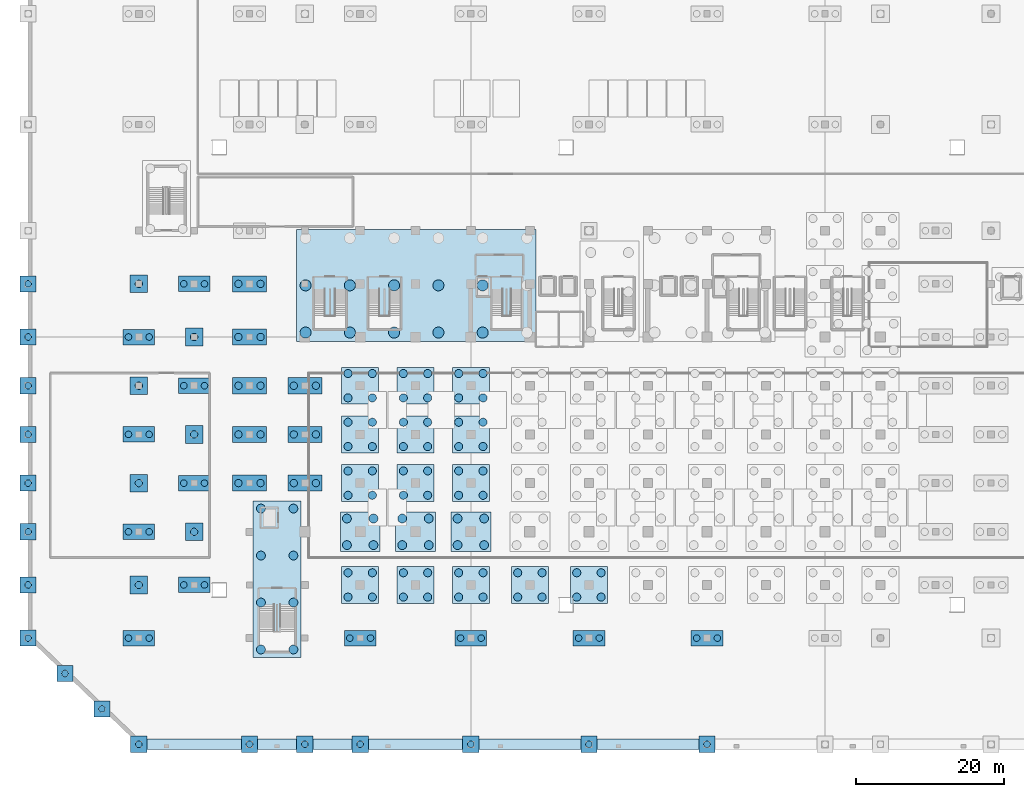
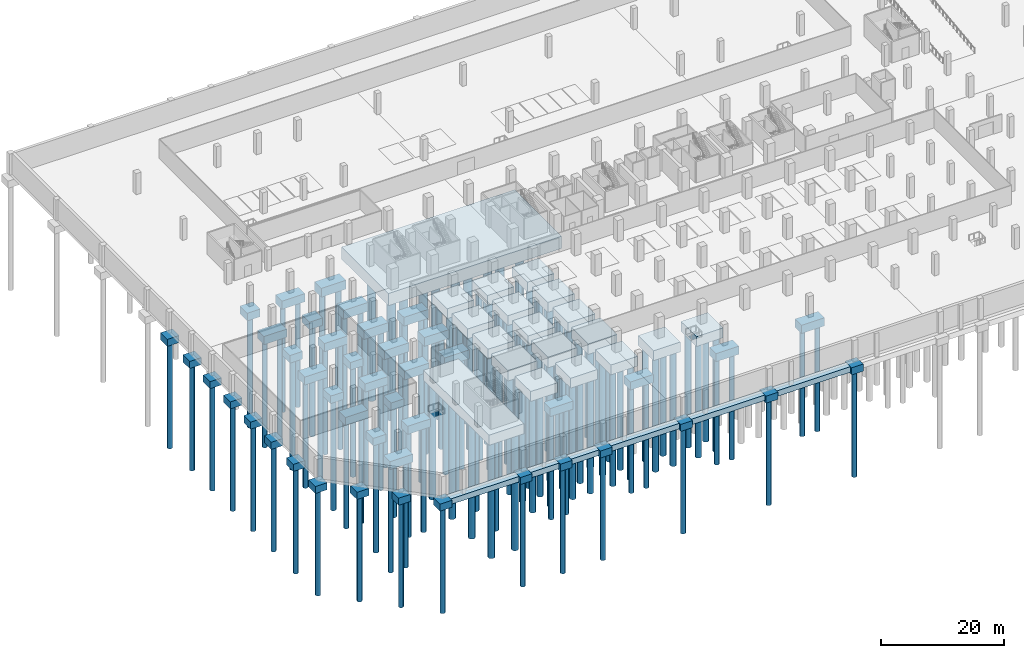
# One storey, part 1 of 26: 150 piles, 69 footings.
"""IFC4 building model written with IfcOpenShell, lengths in metres."""

from ifc_helpers import new_model, si_unit, direction, frame, origin, origin_2d, place, context, subcontext, project, spatial, rectangle, circle, extrude, material, material_profile, profile_set, type_object, element, save


model = new_model("IFC4")

# Units and contexts
model_context = context("Model", 3, precision=1e-05, world=origin(), true_north=direction((0.0, 1.0)))
body_context = subcontext(model_context, "Body", "Model", "MODEL_VIEW")
ifc_project = project(units=[si_unit("LENGTHUNIT", "METRE"), si_unit("AREAUNIT", "SQUARE_METRE"), si_unit("VOLUMEUNIT", "CUBIC_METRE"), si_unit("PLANEANGLEUNIT", "RADIAN"), si_unit("MASSUNIT", "GRAM", prefix="KILO")], contexts=[model_context])

# Site, building, storey
site_placement = place(None, origin())
site = spatial("IfcSite", under=ifc_project, at=site_placement, CompositionType="ELEMENT")
building_placement = place(site_placement, origin())
building = spatial("IfcBuilding", under=site, at=building_placement, Name="Akrevak Sports Hall", CompositionType="ELEMENT")
storey_placement = place(building_placement, frame((0.0, 0.0, -9.0)))
storey = spatial("IfcBuildingStorey", under=building, at=storey_placement, Name="B02", CompositionType="ELEMENT", Elevation=-9.0)

# Footings
ifc_material = material(Name="Concrete C40/50", Category="concrete")
footing_type_1 = type_object("IfcFootingType", Name="STR-PC-220x220x140", PredefinedType="PILE_CAP", material=ifc_material)
for number, where, z_axis, x_axis, name in (
    (1, (0.0, 14.39990234375, -1.949951171875), (0.0, 0.0, 1.0), (1.0, 0.0, 0.0), "Pile Cap PC-06 at 1/C"),
    (2, (0.0, 21.60009765625, -1.949951171875), (0.0, 0.0, 1.0), (1.0, 0.0, 0.0), "Pile Cap PC-06 at 1/D"),
    (3, (0.0, 28.800048828125, -1.949951171875), (0.0, 0.0, 1.0), (1.0, 0.0, 0.0), "Pile Cap PC-06 at 1/E"),
    (4, (0.0, 35.39990234375, -1.949951171875), (0.0, 0.0, 1.0), (1.0, 0.0, 0.0), "Pile Cap PC-06 at 1/F"),
    (5, (0.0, 42.0, -1.949951171875), (0.0, 0.0, 1.0), (1.0, 0.0, 0.0), "Pile Cap PC-06 at 1/G"),
    (6, (0.0, 48.60009765625, -1.949951171875), (0.0, 0.0, 1.0), (1.0, 0.0, 0.0), "Pile Cap PC-06 at 1/H"),
    (7, (0.0, 55.199951171875, -1.949951171875), (0.0, 0.0, 1.0), (1.0, 0.0, 0.0), "Pile Cap PC-06 at 1/I"),
    (8, (0.0, 62.39990234375, -1.949951171875), (0.0, 0.0, 1.0), (1.0, 0.0, 0.0), "Pile Cap PC-06 at 1/J"),
    (9, (15.0, 0.0, -1.949951171875), (0.0, 0.0, 1.0), (1.0, 0.0, 0.0), "Pile Cap PC-06 at 3/A"),
    (10, (30.0, 0.0, -1.949951171875), (0.0, 0.0, 1.0), (1.0, 0.0, 0.0), "Pile Cap PC-06 at 5/A"),
    (11, (37.5, 0.0, -1.949951171875), (0.0, 0.0, 1.0), (1.0, 0.0, 0.0), "Pile Cap PC-06 at 6/A"),
    (12, (45.0, 0.0, -1.949951171875), (0.0, 0.0, 1.0), (1.0, 0.0, 0.0), "Pile Cap PC-06 at 7/A"),
    (13, (60.0, 0.0, -1.949951171875), (0.0, 0.0, 1.0), (1.0, 0.0, 0.0), "Pile Cap PC-06 at 9/A"),
    (14, (76.0, 0.0, -1.949951171875), (0.0, 0.0, 1.0), (1.0, 0.0, 0.0), "Pile Cap PC-06 at 11/A"),
    (15, (92.0, 0.0, -1.949951171875), (0.0, 0.0, 1.0), (1.0, 0.0, 0.0), "Pile Cap PC-06 at 13/A"),
    (16, (10.0, 4.800048828125, -1.949951171875), (0.0, 0.0, 1.0), (1.0, 0.0, 0.0), "Pile Cap PC-06 at Chamfer Pier 1"),
    (17, (5.0, 9.60009765625, -1.949951171875), (0.0, 0.0, 1.0), (1.0, 0.0, 0.0), "Pile Cap PC-06 at Chamfer Pier 2"),
):
    element("IfcFooting", number, at=place(storey_placement, frame(where, z_axis=z_axis, x_axis=x_axis)), inside=storey, type_object=footing_type_1, Name=name, PredefinedType="PILE_CAP", context=body_context, shape_type="SweptSolid", body=[
        extrude(rectangle(XDim=2.199951171875, YDim=2.199951171875, at=origin_2d()), origin(), (0.0, 0.0, 1.0), 1.39990234375),
    ])
footing_type_2 = type_object("IfcFootingType", Name="STR-PC-240x240x150", PredefinedType="PILE_CAP", material=ifc_material)
for number, where, z_axis, x_axis, name in (
    (18, (15.0, 21.60009765625, -2.050048828125), (0.0, 0.0, 1.0), (1.0, 0.0, 0.0), "Pile Cap PC-05 at 3/D"),
    (19, (15.0, 35.39990234375, -2.050048828125), (0.0, 0.0, 1.0), (1.0, 0.0, 0.0), "Pile Cap PC-05 at 3/F"),
    (20, (15.0, 48.60009765625, -2.050048828125), (0.0, 0.0, 1.0), (1.0, 0.0, 0.0), "Pile Cap PC-05 at 3/H"),
    (21, (15.0, 62.39990234375, -2.050048828125), (0.0, 0.0, 1.0), (1.0, 0.0, 0.0), "Pile Cap PC-05 at 3/J"),
    (22, (22.5, 28.800048828125, -2.050048828125), (0.0, 0.0, 1.0), (1.0, 0.0, 0.0), "Pile Cap PC-05 at 4/E"),
    (23, (22.5, 42.0, -2.050048828125), (0.0, 0.0, 1.0), (1.0, 0.0, 0.0), "Pile Cap PC-05 at 4/G"),
    (24, (22.5, 55.199951171875, -2.050048828125), (0.0, 0.0, 1.0), (1.0, 0.0, 0.0), "Pile Cap PC-05 at 4/I"),
):
    element("IfcFooting", number, at=place(storey_placement, frame(where, z_axis=z_axis, x_axis=x_axis)), inside=storey, type_object=footing_type_2, Name=name, PredefinedType="PILE_CAP", context=body_context, shape_type="SweptSolid", body=[
        extrude(rectangle(XDim=2.39990234375, YDim=2.39990234375, at=origin_2d()), origin(), (0.0, 0.0, 1.0), 1.5),
    ])
footing_type_3 = type_object("IfcFootingType", Name="STR-PC-430x210x160", PredefinedType="PILE_CAP", material=ifc_material)
for number, where, z_axis, x_axis, name in (
    (25, (15.0, 14.39990234375, -2.150146484375), (0.0, 0.0, 1.0), (1.0, 0.0, 0.0), "Pile Cap PC-04 at 3/C"),
    (26, (15.0, 28.800048828125, -2.150146484375), (0.0, 0.0, 1.0), (1.0, 0.0, 0.0), "Pile Cap PC-04 at 3/E"),
    (27, (15.0, 42.0, -2.150146484375), (0.0, 0.0, 1.0), (1.0, 0.0, 0.0), "Pile Cap PC-04 at 3/G"),
    (28, (15.0, 55.199951171875, -2.150146484375), (0.0, 0.0, 1.0), (1.0, 0.0, 0.0), "Pile Cap PC-04 at 3/I"),
    (29, (22.5, 21.60009765625, -2.150146484375), (0.0, 0.0, 1.0), (1.0, 0.0, 0.0), "Pile Cap PC-04 at 4/D"),
    (30, (22.5, 35.39990234375, -2.150146484375), (0.0, 0.0, 1.0), (1.0, 0.0, 0.0), "Pile Cap PC-04 at 4/F"),
    (31, (22.5, 48.60009765625, -2.150146484375), (0.0, 0.0, 1.0), (1.0, 0.0, 0.0), "Pile Cap PC-04 at 4/H"),
    (32, (22.5, 62.39990234375, -2.150146484375), (0.0, 0.0, 1.0), (1.0, 0.0, 0.0), "Pile Cap PC-04 at 4/J"),
    (33, (45.0, 14.39990234375, -2.150146484375), (0.0, 0.0, 1.0), (1.0, 0.0, 0.0), "Pile Cap PC-04 at 7/C"),
    (34, (60.0, 14.39990234375, -2.150146484375), (0.0, 0.0, 1.0), (1.0, 0.0, 0.0), "Pile Cap PC-04 at 9/C"),
    (35, (76.0, 14.39990234375, -2.150146484375), (0.0, 0.0, 1.0), (1.0, 0.0, 0.0), "Pile Cap PC-04 at 11/C"),
    (36, (92.0, 14.39990234375, -2.150146484375), (0.0, 0.0, 1.0), (1.0, 0.0, 0.0), "Pile Cap PC-04 at 13/C"),
):
    element("IfcFooting", number, at=place(storey_placement, frame(where, z_axis=z_axis, x_axis=x_axis)), inside=storey, type_object=footing_type_3, Name=name, PredefinedType="PILE_CAP", context=body_context, shape_type="SweptSolid", body=[
        extrude(rectangle(XDim=4.300048828125, YDim=2.10009765625, at=origin_2d()), origin(), (0.0, 0.0, 1.0), 1.60009765625),
    ])
footing_type_4 = type_object("IfcFootingType", Name="STR-PC-460x220x175", PredefinedType="PILE_CAP", material=ifc_material)
for number, where, z_axis, x_axis, name in (
    (37, (30.0, 35.39990234375, -2.300048828125), (0.0, 0.0, 1.0), (1.0, 0.0, 0.0), "Pile Cap PC-03 at 5/F"),
    (38, (30.0, 42.0, -2.300048828125), (0.0, 0.0, 1.0), (1.0, 0.0, 0.0), "Pile Cap PC-03 at 5/G"),
    (39, (30.0, 48.60009765625, -2.300048828125), (0.0, 0.0, 1.0), (1.0, 0.0, 0.0), "Pile Cap PC-03 at 5/H"),
    (40, (30.0, 55.199951171875, -2.300048828125), (0.0, 0.0, 1.0), (1.0, 0.0, 0.0), "Pile Cap PC-03 at 5/I"),
    (41, (30.0, 62.39990234375, -2.300048828125), (0.0, 0.0, 1.0), (1.0, 0.0, 0.0), "Pile Cap PC-03 at 5/J"),
    (42, (37.5, 35.39990234375, -2.300048828125), (0.0, 0.0, 1.0), (1.0, 0.0, 0.0), "Pile Cap PC-03 at 6/F"),
    (43, (37.5, 42.0, -2.300048828125), (0.0, 0.0, 1.0), (1.0, 0.0, 0.0), "Pile Cap PC-03 at 6/G"),
    (44, (37.5, 48.60009765625, -2.300048828125), (0.0, 0.0, 1.0), (1.0, 0.0, 0.0), "Pile Cap PC-03 at 6/H"),
):
    element("IfcFooting", number, at=place(storey_placement, frame(where, z_axis=z_axis, x_axis=x_axis)), inside=storey, type_object=footing_type_4, Name=name, PredefinedType="PILE_CAP", context=body_context, shape_type="SweptSolid", body=[
        extrude(rectangle(XDim=4.60009765625, YDim=2.199951171875, at=origin_2d()), origin(), (0.0, 0.0, 1.0), 1.75),
    ])
footing_type_5 = type_object("IfcFootingType", Name="STR-PC-500x500x195", PredefinedType="PILE_CAP", material=ifc_material)
for number, where, z_axis, x_axis, name in (
    (45, (45.0, 21.60009765625, -2.5), (0.0, 0.0, 1.0), (1.0, 0.0, 0.0), "Pile Cap PC-02 at 7/D"),
    (46, (45.0, 35.39990234375, -2.5), (0.0, 0.0, 1.0), (1.0, 0.0, 0.0), "Pile Cap PC-02 at 7/F"),
    (47, (45.0, 42.0, -2.5), (0.0, 0.0, 1.0), (1.0, 0.0, 0.0), "Pile Cap PC-02 at 7/G"),
    (48, (45.0, 48.60009765625, -2.5), (0.0, 0.0, 1.0), (1.0, 0.0, 0.0), "Pile Cap PC-02 at 7/H"),
    (49, (52.5, 21.60009765625, -2.5), (0.0, 0.0, 1.0), (1.0, 0.0, 0.0), "Pile Cap PC-02 at 8/D"),
    (50, (52.5, 35.39990234375, -2.5), (0.0, 0.0, 1.0), (1.0, 0.0, 0.0), "Pile Cap PC-02 at 8/F"),
    (51, (52.5, 42.0, -2.5), (0.0, 0.0, 1.0), (1.0, 0.0, 0.0), "Pile Cap PC-02 at 8/G"),
    (52, (52.5, 48.60009765625, -2.5), (0.0, 0.0, 1.0), (1.0, 0.0, 0.0), "Pile Cap PC-02 at 8/H"),
    (53, (60.0, 21.60009765625, -2.5), (0.0, 0.0, 1.0), (1.0, 0.0, 0.0), "Pile Cap PC-02 at 9/D"),
    (54, (60.0, 35.39990234375, -2.5), (0.0, 0.0, 1.0), (1.0, 0.0, 0.0), "Pile Cap PC-02 at 9/F"),
    (55, (60.0, 42.0, -2.5), (0.0, 0.0, 1.0), (1.0, 0.0, 0.0), "Pile Cap PC-02 at 9/G"),
    (56, (60.0, 48.60009765625, -2.5), (0.0, 0.0, 1.0), (1.0, 0.0, 0.0), "Pile Cap PC-02 at 9/H"),
    (57, (68.0, 21.60009765625, -2.5), (0.0, 0.0, 1.0), (1.0, 0.0, 0.0), "Pile Cap PC-02 at 10/D"),
    (58, (76.0, 21.60009765625, -2.5), (0.0, 0.0, 1.0), (1.0, 0.0, 0.0), "Pile Cap PC-02 at 11/D"),
):
    element("IfcFooting", number, at=place(storey_placement, frame(where, z_axis=z_axis, x_axis=x_axis)), inside=storey, type_object=footing_type_5, Name=name, PredefinedType="PILE_CAP", context=body_context, shape_type="SweptSolid", body=[
        extrude(rectangle(XDim=5.0, YDim=5.0, at=origin_2d()), origin(), (0.0, 0.0, 1.0), 1.949951171875),
    ])
footing_type_6 = type_object("IfcFootingType", Name="STR-PC-540x540x210", PredefinedType="PILE_CAP", material=ifc_material)
for number, where, z_axis, x_axis, name in (
    (59, (45.0, 28.800048828125, -2.650146484375), (0.0, 0.0, 1.0), (1.0, 0.0, 0.0), "Pile Cap PC-01 at 7/E"),
    (60, (52.5, 28.800048828125, -2.650146484375), (0.0, 0.0, 1.0), (1.0, 0.0, 0.0), "Pile Cap PC-01 at 8/E"),
    (61, (60.0, 28.800048828125, -2.650146484375), (0.0, 0.0, 1.0), (1.0, 0.0, 0.0), "Pile Cap PC-01 at 9/E"),
):
    element("IfcFooting", number, at=place(storey_placement, frame(where, z_axis=z_axis, x_axis=x_axis)), inside=storey, type_object=footing_type_6, Name=name, PredefinedType="PILE_CAP", context=body_context, shape_type="SweptSolid", body=[
        extrude(rectangle(XDim=5.39990234375, YDim=5.39990234375, at=origin_2d()), origin(), (0.0, 0.0, 1.0), 2.10009765625),
    ])
footing_type_7 = type_object("IfcFootingType", Name="STR-PC-MAT-P1", PredefinedType="PILE_CAP", material=ifc_material)
footing_1_placement = place(storey_placement, frame((33.75, 22.39990234375, -2.550048828125), z_axis=(0.0, 0.0, 1.0), x_axis=(1.0, 0.0, 0.0)))
element("IfcFooting", 62, at=footing_1_placement, inside=storey, type_object=footing_type_7, Name="Combined Pile Cap PC-M5", PredefinedType="PILE_CAP", context=body_context, shape_type="SweptSolid", body=[
    extrude(rectangle(XDim=6.5, YDim=21.199951171875, at=origin_2d()), origin(), (0.0, 0.0, 1.0), 2.0),
])
footing_type_8 = type_object("IfcFootingType", Name="STR-PC-MAT-W", PredefinedType="PILE_CAP", material=ifc_material)
footing_2_placement = place(storey_placement, frame((52.60009765625, 62.199951171875, -2.949951171875), z_axis=(0.0, 0.0, 1.0), x_axis=(1.0, 0.0, 0.0)))
element("IfcFooting", 63, at=footing_2_placement, inside=storey, type_object=footing_type_8, Name="Combined Pile Cap PC-M1", PredefinedType="PILE_CAP", context=body_context, shape_type="SweptSolid", body=[
    extrude(rectangle(XDim=32.39990234375, YDim=15.199951171875, at=origin_2d()), origin(), (0.0, 0.0, 1.0), 2.39990234375),
])

# Piles
ifc_material_profile_1 = material_profile(ifc_material, circle(Radius=0.5, at=origin_2d()), Name="BORED PILE D1000", Category="concrete")
ifc_profile_set_1 = profile_set([ifc_material_profile_1], Name="Concrete C40/50")
pile_type_1 = type_object("IfcPileType", Name="STR-PILE-D1000", PredefinedType="BORED", material=ifc_profile_set_1)
for number, where, z_axis, x_axis, name in (
    (64, (15.0, 21.60009765625, -2.050048828125), (0.0, 0.0, -1.0), (1.0, 0.0, 0.0), "Bored Pile 3/D-1"),
    (65, (15.0, 35.39990234375, -2.050048828125), (0.0, 0.0, -1.0), (1.0, 0.0, 0.0), "Bored Pile 3/F-1"),
    (66, (15.0, 48.60009765625, -2.050048828125), (0.0, 0.0, -1.0), (1.0, 0.0, 0.0), "Bored Pile 3/H-1"),
    (67, (15.0, 62.39990234375, -2.050048828125), (0.0, 0.0, -1.0), (1.0, 0.0, 0.0), "Bored Pile 3/J-1"),
    (68, (22.5, 28.800048828125, -2.050048828125), (0.0, 0.0, -1.0), (1.0, 0.0, 0.0), "Bored Pile 4/E-1"),
    (69, (22.5, 42.0, -2.050048828125), (0.0, 0.0, -1.0), (1.0, 0.0, 0.0), "Bored Pile 4/G-1"),
    (70, (22.5, 55.199951171875, -2.050048828125), (0.0, 0.0, -1.0), (1.0, 0.0, 0.0), "Bored Pile 4/I-1"),
    (71, (28.5, 35.39990234375, -2.300048828125), (0.0, 0.0, -1.0), (1.0, 0.0, 0.0), "Bored Pile 5/F-1"),
    (72, (31.5, 35.39990234375, -2.300048828125), (0.0, 0.0, -1.0), (1.0, 0.0, 0.0), "Bored Pile 5/F-2"),
    (73, (28.5, 42.0, -2.300048828125), (0.0, 0.0, -1.0), (1.0, 0.0, 0.0), "Bored Pile 5/G-1"),
    (74, (31.5, 42.0, -2.300048828125), (0.0, 0.0, -1.0), (1.0, 0.0, 0.0), "Bored Pile 5/G-2"),
    (75, (28.5, 48.60009765625, -2.300048828125), (0.0, 0.0, -1.0), (1.0, 0.0, 0.0), "Bored Pile 5/H-1"),
    (76, (31.5, 48.60009765625, -2.300048828125), (0.0, 0.0, -1.0), (1.0, 0.0, 0.0), "Bored Pile 5/H-2"),
    (77, (28.5, 55.199951171875, -2.300048828125), (0.0, 0.0, -1.0), (1.0, 0.0, 0.0), "Bored Pile 5/I-1"),
    (78, (31.5, 55.199951171875, -2.300048828125), (0.0, 0.0, -1.0), (1.0, 0.0, 0.0), "Bored Pile 5/I-2"),
    (79, (28.5, 62.39990234375, -2.300048828125), (0.0, 0.0, -1.0), (1.0, 0.0, 0.0), "Bored Pile 5/J-1"),
    (80, (31.5, 62.39990234375, -2.300048828125), (0.0, 0.0, -1.0), (1.0, 0.0, 0.0), "Bored Pile 5/J-2"),
    (81, (36.0, 35.39990234375, -2.300048828125), (0.0, 0.0, -1.0), (1.0, 0.0, 0.0), "Bored Pile 6/F-1"),
    (82, (39.0, 35.39990234375, -2.300048828125), (0.0, 0.0, -1.0), (1.0, 0.0, 0.0), "Bored Pile 6/F-2"),
    (83, (36.0, 42.0, -2.300048828125), (0.0, 0.0, -1.0), (1.0, 0.0, 0.0), "Bored Pile 6/G-1"),
    (84, (39.0, 42.0, -2.300048828125), (0.0, 0.0, -1.0), (1.0, 0.0, 0.0), "Bored Pile 6/G-2"),
    (85, (36.0, 48.60009765625, -2.300048828125), (0.0, 0.0, -1.0), (1.0, 0.0, 0.0), "Bored Pile 6/H-1"),
    (86, (39.0, 48.60009765625, -2.300048828125), (0.0, 0.0, -1.0), (1.0, 0.0, 0.0), "Bored Pile 6/H-2"),
):
    element("IfcPile", number, at=place(storey_placement, frame(where, z_axis=z_axis, x_axis=x_axis)), inside=storey, type_object=pile_type_1, Name=name, PredefinedType="BORED", context=body_context, shape_type="SweptSolid", body=[
        extrude(circle(Radius=0.5, at=origin_2d()), origin(), (0.0, 0.0, 1.0), 22.0),
    ])
ifc_material_profile_2 = material_profile(ifc_material, circle(Radius=0.550048828125, at=origin_2d()), Name="BORED PILE D1100", Category="concrete")
ifc_profile_set_2 = profile_set([ifc_material_profile_2], Name="Concrete C40/50")
pile_type_2 = type_object("IfcPileType", Name="STR-PILE-D1100", PredefinedType="BORED", material=ifc_profile_set_2)
for number, where, z_axis, x_axis, name in (
    (87, (43.35009765625, 19.949951171875, -2.5), (0.0, 0.0, -1.0), (1.0, 0.0, 0.0), "Bored Pile 7/D-1"),
    (88, (46.64990234375, 19.949951171875, -2.5), (0.0, 0.0, -1.0), (1.0, 0.0, 0.0), "Bored Pile 7/D-2"),
    (89, (43.35009765625, 23.25, -2.5), (0.0, 0.0, -1.0), (1.0, 0.0, 0.0), "Bored Pile 7/D-3"),
    (90, (46.64990234375, 23.25, -2.5), (0.0, 0.0, -1.0), (1.0, 0.0, 0.0), "Bored Pile 7/D-4"),
    (91, (43.35009765625, 33.75, -2.5), (0.0, 0.0, -1.0), (1.0, 0.0, 0.0), "Bored Pile 7/F-1"),
    (92, (46.64990234375, 33.75, -2.5), (0.0, 0.0, -1.0), (1.0, 0.0, 0.0), "Bored Pile 7/F-2"),
    (93, (43.35009765625, 37.050048828125, -2.5), (0.0, 0.0, -1.0), (1.0, 0.0, 0.0), "Bored Pile 7/F-3"),
    (94, (46.64990234375, 37.050048828125, -2.5), (0.0, 0.0, -1.0), (1.0, 0.0, 0.0), "Bored Pile 7/F-4"),
    (95, (43.35009765625, 40.35009765625, -2.5), (0.0, 0.0, -1.0), (1.0, 0.0, 0.0), "Bored Pile 7/G-1"),
    (96, (46.64990234375, 40.35009765625, -2.5), (0.0, 0.0, -1.0), (1.0, 0.0, 0.0), "Bored Pile 7/G-2"),
    (97, (43.35009765625, 43.64990234375, -2.5), (0.0, 0.0, -1.0), (1.0, 0.0, 0.0), "Bored Pile 7/G-3"),
    (98, (46.64990234375, 43.64990234375, -2.5), (0.0, 0.0, -1.0), (1.0, 0.0, 0.0), "Bored Pile 7/G-4"),
    (99, (43.35009765625, 46.949951171875, -2.5), (0.0, 0.0, -1.0), (1.0, 0.0, 0.0), "Bored Pile 7/H-1"),
    (100, (46.64990234375, 46.949951171875, -2.5), (0.0, 0.0, -1.0), (1.0, 0.0, 0.0), "Bored Pile 7/H-2"),
    (101, (43.35009765625, 50.25, -2.5), (0.0, 0.0, -1.0), (1.0, 0.0, 0.0), "Bored Pile 7/H-3"),
    (102, (46.64990234375, 50.25, -2.5), (0.0, 0.0, -1.0), (1.0, 0.0, 0.0), "Bored Pile 7/H-4"),
    (103, (50.85009765625, 19.949951171875, -2.5), (0.0, 0.0, -1.0), (1.0, 0.0, 0.0), "Bored Pile 8/D-1"),
    (104, (54.14990234375, 19.949951171875, -2.5), (0.0, 0.0, -1.0), (1.0, 0.0, 0.0), "Bored Pile 8/D-2"),
    (105, (50.85009765625, 23.25, -2.5), (0.0, 0.0, -1.0), (1.0, 0.0, 0.0), "Bored Pile 8/D-3"),
    (106, (54.14990234375, 23.25, -2.5), (0.0, 0.0, -1.0), (1.0, 0.0, 0.0), "Bored Pile 8/D-4"),
    (107, (50.85009765625, 33.75, -2.5), (0.0, 0.0, -1.0), (1.0, 0.0, 0.0), "Bored Pile 8/F-1"),
    (108, (54.14990234375, 33.75, -2.5), (0.0, 0.0, -1.0), (1.0, 0.0, 0.0), "Bored Pile 8/F-2"),
    (109, (50.85009765625, 37.050048828125, -2.5), (0.0, 0.0, -1.0), (1.0, 0.0, 0.0), "Bored Pile 8/F-3"),
    (110, (54.14990234375, 37.050048828125, -2.5), (0.0, 0.0, -1.0), (1.0, 0.0, 0.0), "Bored Pile 8/F-4"),
    (111, (50.85009765625, 40.35009765625, -2.5), (0.0, 0.0, -1.0), (1.0, 0.0, 0.0), "Bored Pile 8/G-1"),
    (112, (54.14990234375, 40.35009765625, -2.5), (0.0, 0.0, -1.0), (1.0, 0.0, 0.0), "Bored Pile 8/G-2"),
    (113, (50.85009765625, 43.64990234375, -2.5), (0.0, 0.0, -1.0), (1.0, 0.0, 0.0), "Bored Pile 8/G-3"),
    (114, (54.14990234375, 43.64990234375, -2.5), (0.0, 0.0, -1.0), (1.0, 0.0, 0.0), "Bored Pile 8/G-4"),
    (115, (50.85009765625, 46.949951171875, -2.5), (0.0, 0.0, -1.0), (1.0, 0.0, 0.0), "Bored Pile 8/H-1"),
    (116, (54.14990234375, 46.949951171875, -2.5), (0.0, 0.0, -1.0), (1.0, 0.0, 0.0), "Bored Pile 8/H-2"),
    (117, (50.85009765625, 50.25, -2.5), (0.0, 0.0, -1.0), (1.0, 0.0, 0.0), "Bored Pile 8/H-3"),
    (118, (54.14990234375, 50.25, -2.5), (0.0, 0.0, -1.0), (1.0, 0.0, 0.0), "Bored Pile 8/H-4"),
    (119, (58.35009765625, 19.949951171875, -2.5), (0.0, 0.0, -1.0), (1.0, 0.0, 0.0), "Bored Pile 9/D-1"),
    (120, (61.64990234375, 19.949951171875, -2.5), (0.0, 0.0, -1.0), (1.0, 0.0, 0.0), "Bored Pile 9/D-2"),
    (121, (58.35009765625, 23.25, -2.5), (0.0, 0.0, -1.0), (1.0, 0.0, 0.0), "Bored Pile 9/D-3"),
    (122, (61.64990234375, 23.25, -2.5), (0.0, 0.0, -1.0), (1.0, 0.0, 0.0), "Bored Pile 9/D-4"),
    (123, (58.35009765625, 33.75, -2.5), (0.0, 0.0, -1.0), (1.0, 0.0, 0.0), "Bored Pile 9/F-1"),
    (124, (61.64990234375, 33.75, -2.5), (0.0, 0.0, -1.0), (1.0, 0.0, 0.0), "Bored Pile 9/F-2"),
    (125, (58.35009765625, 37.050048828125, -2.5), (0.0, 0.0, -1.0), (1.0, 0.0, 0.0), "Bored Pile 9/F-3"),
    (126, (61.64990234375, 37.050048828125, -2.5), (0.0, 0.0, -1.0), (1.0, 0.0, 0.0), "Bored Pile 9/F-4"),
    (127, (58.35009765625, 40.35009765625, -2.5), (0.0, 0.0, -1.0), (1.0, 0.0, 0.0), "Bored Pile 9/G-1"),
    (128, (61.64990234375, 40.35009765625, -2.5), (0.0, 0.0, -1.0), (1.0, 0.0, 0.0), "Bored Pile 9/G-2"),
    (129, (58.35009765625, 43.64990234375, -2.5), (0.0, 0.0, -1.0), (1.0, 0.0, 0.0), "Bored Pile 9/G-3"),
    (130, (61.64990234375, 43.64990234375, -2.5), (0.0, 0.0, -1.0), (1.0, 0.0, 0.0), "Bored Pile 9/G-4"),
    (131, (58.35009765625, 46.949951171875, -2.5), (0.0, 0.0, -1.0), (1.0, 0.0, 0.0), "Bored Pile 9/H-1"),
    (132, (61.64990234375, 46.949951171875, -2.5), (0.0, 0.0, -1.0), (1.0, 0.0, 0.0), "Bored Pile 9/H-2"),
    (133, (58.35009765625, 50.25, -2.5), (0.0, 0.0, -1.0), (1.0, 0.0, 0.0), "Bored Pile 9/H-3"),
    (134, (61.64990234375, 50.25, -2.5), (0.0, 0.0, -1.0), (1.0, 0.0, 0.0), "Bored Pile 9/H-4"),
    (135, (66.35009765625, 19.949951171875, -2.5), (0.0, 0.0, -1.0), (1.0, 0.0, 0.0), "Bored Pile 10/D-1"),
    (136, (69.64990234375, 19.949951171875, -2.5), (0.0, 0.0, -1.0), (1.0, 0.0, 0.0), "Bored Pile 10/D-2"),
    (137, (66.35009765625, 23.25, -2.5), (0.0, 0.0, -1.0), (1.0, 0.0, 0.0), "Bored Pile 10/D-3"),
    (138, (69.64990234375, 23.25, -2.5), (0.0, 0.0, -1.0), (1.0, 0.0, 0.0), "Bored Pile 10/D-4"),
    (139, (74.35009765625, 19.949951171875, -2.5), (0.0, 0.0, -1.0), (1.0, 0.0, 0.0), "Bored Pile 11/D-1"),
    (140, (77.64990234375, 19.949951171875, -2.5), (0.0, 0.0, -1.0), (1.0, 0.0, 0.0), "Bored Pile 11/D-2"),
    (141, (74.35009765625, 23.25, -2.5), (0.0, 0.0, -1.0), (1.0, 0.0, 0.0), "Bored Pile 11/D-3"),
    (142, (77.64990234375, 23.25, -2.5), (0.0, 0.0, -1.0), (1.0, 0.0, 0.0), "Bored Pile 11/D-4"),
):
    element("IfcPile", number, at=place(storey_placement, frame(where, z_axis=z_axis, x_axis=x_axis)), inside=storey, type_object=pile_type_2, Name=name, PredefinedType="BORED", context=body_context, shape_type="SweptSolid", body=[
        extrude(circle(Radius=0.550048828125, at=origin_2d()), origin(), (0.0, 0.0, 1.0), 22.5),
    ])
ifc_material_profile_3 = material_profile(ifc_material, circle(Radius=0.60009765625, at=origin_2d()), Name="BORED PILE D1200", Category="concrete")
ifc_profile_set_3 = profile_set([ifc_material_profile_3], Name="Concrete C40/50")
pile_type_3 = type_object("IfcPileType", Name="STR-PILE-D1200", PredefinedType="BORED", material=ifc_profile_set_3)
for number, where, z_axis, x_axis, name in (
    (143, (31.550048828125, 12.85009765625, -2.550048828125), (0.0, 0.0, -1.0), (1.0, 0.0, 0.0), "Bored Pile PC-M5-11"),
    (144, (31.550048828125, 19.217041015625, -2.550048828125), (0.0, 0.0, -1.0), (1.0, 0.0, 0.0), "Bored Pile PC-M5-12"),
    (145, (31.550048828125, 25.5830078125, -2.550048828125), (0.0, 0.0, -1.0), (1.0, 0.0, 0.0), "Bored Pile PC-M5-13"),
    (146, (31.550048828125, 31.949951171875, -2.550048828125), (0.0, 0.0, -1.0), (1.0, 0.0, 0.0), "Bored Pile PC-M5-14"),
    (147, (35.949951171875, 12.85009765625, -2.550048828125), (0.0, 0.0, -1.0), (1.0, 0.0, 0.0), "Bored Pile PC-M5-21"),
    (148, (35.949951171875, 19.217041015625, -2.550048828125), (0.0, 0.0, -1.0), (1.0, 0.0, 0.0), "Bored Pile PC-M5-22"),
    (149, (35.949951171875, 25.5830078125, -2.550048828125), (0.0, 0.0, -1.0), (1.0, 0.0, 0.0), "Bored Pile PC-M5-23"),
    (150, (35.949951171875, 31.949951171875, -2.550048828125), (0.0, 0.0, -1.0), (1.0, 0.0, 0.0), "Bored Pile PC-M5-24"),
    (151, (43.199951171875, 27.0, -2.64990234375), (0.0, 0.0, -1.0), (1.0, 0.0, 0.0), "Bored Pile 7/E-1"),
    (152, (46.800048828125, 27.0, -2.64990234375), (0.0, 0.0, -1.0), (1.0, 0.0, 0.0), "Bored Pile 7/E-2"),
    (153, (43.199951171875, 30.60009765625, -2.64990234375), (0.0, 0.0, -1.0), (1.0, 0.0, 0.0), "Bored Pile 7/E-3"),
    (154, (46.800048828125, 30.60009765625, -2.64990234375), (0.0, 0.0, -1.0), (1.0, 0.0, 0.0), "Bored Pile 7/E-4"),
    (155, (50.699951171875, 27.0, -2.64990234375), (0.0, 0.0, -1.0), (1.0, 0.0, 0.0), "Bored Pile 8/E-1"),
    (156, (54.300048828125, 27.0, -2.64990234375), (0.0, 0.0, -1.0), (1.0, 0.0, 0.0), "Bored Pile 8/E-2"),
    (157, (50.699951171875, 30.60009765625, -2.64990234375), (0.0, 0.0, -1.0), (1.0, 0.0, 0.0), "Bored Pile 8/E-3"),
    (158, (54.300048828125, 30.60009765625, -2.64990234375), (0.0, 0.0, -1.0), (1.0, 0.0, 0.0), "Bored Pile 8/E-4"),
    (159, (58.199951171875, 27.0, -2.64990234375), (0.0, 0.0, -1.0), (1.0, 0.0, 0.0), "Bored Pile 9/E-1"),
    (160, (61.800048828125, 27.0, -2.64990234375), (0.0, 0.0, -1.0), (1.0, 0.0, 0.0), "Bored Pile 9/E-2"),
    (161, (58.199951171875, 30.60009765625, -2.64990234375), (0.0, 0.0, -1.0), (1.0, 0.0, 0.0), "Bored Pile 9/E-3"),
    (162, (61.800048828125, 30.60009765625, -2.64990234375), (0.0, 0.0, -1.0), (1.0, 0.0, 0.0), "Bored Pile 9/E-4"),
):
    element("IfcPile", number, at=place(storey_placement, frame(where, z_axis=z_axis, x_axis=x_axis)), inside=storey, type_object=pile_type_3, Name=name, PredefinedType="BORED", context=body_context, shape_type="SweptSolid", body=[
        extrude(circle(Radius=0.60009765625, at=origin_2d()), origin(), (0.0, 0.0, 1.0), 23.0),
    ])
ifc_material_profile_4 = material_profile(ifc_material, circle(Radius=0.75, at=origin_2d()), Name="BORED PILE D1500", Category="concrete")
ifc_profile_set_4 = profile_set([ifc_material_profile_4], Name="Concrete C40/50")
pile_type_4 = type_object("IfcPileType", Name="STR-PILE-D1500", PredefinedType="BORED", material=ifc_profile_set_4)
for number, where, z_axis, x_axis, name in (
    (163, (37.60009765625, 55.800048828125, -2.949951171875), (0.0, 0.0, -1.0), (1.0, 0.0, 0.0), "Bored Pile PC-M1-11"),
    (164, (37.60009765625, 62.199951171875, -2.949951171875), (0.0, 0.0, -1.0), (1.0, 0.0, 0.0), "Bored Pile PC-M1-12"),
    (165, (43.60009765625, 55.800048828125, -2.949951171875), (0.0, 0.0, -1.0), (1.0, 0.0, 0.0), "Bored Pile PC-M1-21"),
    (166, (43.60009765625, 62.199951171875, -2.949951171875), (0.0, 0.0, -1.0), (1.0, 0.0, 0.0), "Bored Pile PC-M1-22"),
    (167, (49.60009765625, 55.800048828125, -2.949951171875), (0.0, 0.0, -1.0), (1.0, 0.0, 0.0), "Bored Pile PC-M1-31"),
    (168, (49.60009765625, 62.199951171875, -2.949951171875), (0.0, 0.0, -1.0), (1.0, 0.0, 0.0), "Bored Pile PC-M1-32"),
    (169, (55.60009765625, 55.800048828125, -2.949951171875), (0.0, 0.0, -1.0), (1.0, 0.0, 0.0), "Bored Pile PC-M1-41"),
    (170, (55.60009765625, 62.199951171875, -2.949951171875), (0.0, 0.0, -1.0), (1.0, 0.0, 0.0), "Bored Pile PC-M1-42"),
    (171, (61.60009765625, 55.800048828125, -2.949951171875), (0.0, 0.0, -1.0), (1.0, 0.0, 0.0), "Bored Pile PC-M1-51"),
    (172, (61.60009765625, 62.199951171875, -2.949951171875), (0.0, 0.0, -1.0), (1.0, 0.0, 0.0), "Bored Pile PC-M1-52"),
):
    element("IfcPile", number, at=place(storey_placement, frame(where, z_axis=z_axis, x_axis=x_axis)), inside=storey, type_object=pile_type_4, Name=name, PredefinedType="BORED", context=body_context, shape_type="SweptSolid", body=[
        extrude(circle(Radius=0.75, at=origin_2d()), origin(), (0.0, 0.0, 1.0), 23.449951171875),
    ])
ifc_material_profile_5 = material_profile(ifc_material, circle(Radius=0.449951171875, at=origin_2d()), Name="BORED PILE D900", Category="concrete")
ifc_profile_set_5 = profile_set([ifc_material_profile_5], Name="Concrete C40/50")
pile_type_5 = type_object("IfcPileType", Name="STR-PILE-D900", PredefinedType="BORED", material=ifc_profile_set_5)
for number, where, z_axis, x_axis, name in (
    (173, (0.0, 14.39990234375, -1.949951171875), (0.0, 0.0, -1.0), (1.0, 0.0, 0.0), "Bored Pile 1/C-1"),
    (174, (0.0, 21.60009765625, -1.949951171875), (0.0, 0.0, -1.0), (1.0, 0.0, 0.0), "Bored Pile 1/D-1"),
    (175, (0.0, 28.800048828125, -1.949951171875), (0.0, 0.0, -1.0), (1.0, 0.0, 0.0), "Bored Pile 1/E-1"),
    (176, (0.0, 35.39990234375, -1.949951171875), (0.0, 0.0, -1.0), (1.0, 0.0, 0.0), "Bored Pile 1/F-1"),
    (177, (0.0, 42.0, -1.949951171875), (0.0, 0.0, -1.0), (1.0, 0.0, 0.0), "Bored Pile 1/G-1"),
    (178, (0.0, 48.60009765625, -1.949951171875), (0.0, 0.0, -1.0), (1.0, 0.0, 0.0), "Bored Pile 1/H-1"),
    (179, (0.0, 55.199951171875, -1.949951171875), (0.0, 0.0, -1.0), (1.0, 0.0, 0.0), "Bored Pile 1/I-1"),
    (180, (0.0, 62.39990234375, -1.949951171875), (0.0, 0.0, -1.0), (1.0, 0.0, 0.0), "Bored Pile 1/J-1"),
    (181, (15.0, 0.0, -1.949951171875), (0.0, 0.0, -1.0), (1.0, 0.0, 0.0), "Bored Pile 3/A-1"),
    (182, (13.60009765625, 14.39990234375, -2.14990234375), (0.0, 0.0, -1.0), (1.0, 0.0, 0.0), "Bored Pile 3/C-1"),
    (183, (16.39990234375, 14.39990234375, -2.14990234375), (0.0, 0.0, -1.0), (1.0, 0.0, 0.0), "Bored Pile 3/C-2"),
    (184, (13.60009765625, 28.800048828125, -2.14990234375), (0.0, 0.0, -1.0), (1.0, 0.0, 0.0), "Bored Pile 3/E-1"),
    (185, (16.39990234375, 28.800048828125, -2.14990234375), (0.0, 0.0, -1.0), (1.0, 0.0, 0.0), "Bored Pile 3/E-2"),
    (186, (13.60009765625, 42.0, -2.14990234375), (0.0, 0.0, -1.0), (1.0, 0.0, 0.0), "Bored Pile 3/G-1"),
    (187, (16.39990234375, 42.0, -2.14990234375), (0.0, 0.0, -1.0), (1.0, 0.0, 0.0), "Bored Pile 3/G-2"),
    (188, (13.60009765625, 55.199951171875, -2.14990234375), (0.0, 0.0, -1.0), (1.0, 0.0, 0.0), "Bored Pile 3/I-1"),
    (189, (16.39990234375, 55.199951171875, -2.14990234375), (0.0, 0.0, -1.0), (1.0, 0.0, 0.0), "Bored Pile 3/I-2"),
    (190, (21.10009765625, 21.60009765625, -2.14990234375), (0.0, 0.0, -1.0), (1.0, 0.0, 0.0), "Bored Pile 4/D-1"),
    (191, (23.89990234375, 21.60009765625, -2.14990234375), (0.0, 0.0, -1.0), (1.0, 0.0, 0.0), "Bored Pile 4/D-2"),
    (192, (21.10009765625, 35.39990234375, -2.14990234375), (0.0, 0.0, -1.0), (1.0, 0.0, 0.0), "Bored Pile 4/F-1"),
    (193, (23.89990234375, 35.39990234375, -2.14990234375), (0.0, 0.0, -1.0), (1.0, 0.0, 0.0), "Bored Pile 4/F-2"),
    (194, (21.10009765625, 48.60009765625, -2.14990234375), (0.0, 0.0, -1.0), (1.0, 0.0, 0.0), "Bored Pile 4/H-1"),
    (195, (23.89990234375, 48.60009765625, -2.14990234375), (0.0, 0.0, -1.0), (1.0, 0.0, 0.0), "Bored Pile 4/H-2"),
    (196, (21.10009765625, 62.39990234375, -2.14990234375), (0.0, 0.0, -1.0), (1.0, 0.0, 0.0), "Bored Pile 4/J-1"),
    (197, (23.89990234375, 62.39990234375, -2.14990234375), (0.0, 0.0, -1.0), (1.0, 0.0, 0.0), "Bored Pile 4/J-2"),
    (198, (30.0, 0.0, -1.949951171875), (0.0, 0.0, -1.0), (1.0, 0.0, 0.0), "Bored Pile 5/A-1"),
    (199, (37.5, 0.0, -1.949951171875), (0.0, 0.0, -1.0), (1.0, 0.0, 0.0), "Bored Pile 6/A-1"),
    (200, (45.0, 0.0, -1.949951171875), (0.0, 0.0, -1.0), (1.0, 0.0, 0.0), "Bored Pile 7/A-1"),
    (201, (43.60009765625, 14.39990234375, -2.14990234375), (0.0, 0.0, -1.0), (1.0, 0.0, 0.0), "Bored Pile 7/C-1"),
    (202, (46.39990234375, 14.39990234375, -2.14990234375), (0.0, 0.0, -1.0), (1.0, 0.0, 0.0), "Bored Pile 7/C-2"),
    (203, (60.0, 0.0, -1.949951171875), (0.0, 0.0, -1.0), (1.0, 0.0, 0.0), "Bored Pile 9/A-1"),
    (204, (58.60009765625, 14.39990234375, -2.14990234375), (0.0, 0.0, -1.0), (1.0, 0.0, 0.0), "Bored Pile 9/C-1"),
    (205, (61.39990234375, 14.39990234375, -2.14990234375), (0.0, 0.0, -1.0), (1.0, 0.0, 0.0), "Bored Pile 9/C-2"),
    (206, (76.0, 0.0, -1.949951171875), (0.0, 0.0, -1.0), (1.0, 0.0, 0.0), "Bored Pile 11/A-1"),
    (207, (74.60009765625, 14.39990234375, -2.14990234375), (0.0, 0.0, -1.0), (1.0, 0.0, 0.0), "Bored Pile 11/C-1"),
    (208, (77.39990234375, 14.39990234375, -2.14990234375), (0.0, 0.0, -1.0), (1.0, 0.0, 0.0), "Bored Pile 11/C-2"),
    (209, (92.0, 0.0, -1.949951171875), (0.0, 0.0, -1.0), (1.0, 0.0, 0.0), "Bored Pile 13/A-1"),
    (210, (90.60009765625, 14.39990234375, -2.14990234375), (0.0, 0.0, -1.0), (1.0, 0.0, 0.0), "Bored Pile 13/C-1"),
    (211, (93.39990234375, 14.39990234375, -2.14990234375), (0.0, 0.0, -1.0), (1.0, 0.0, 0.0), "Bored Pile 13/C-2"),
    (212, (10.0, 4.800048828125, -1.949951171875), (0.0, 0.0, -1.0), (1.0, 0.0, 0.0), "Bored Pile Chamfer-1"),
    (213, (5.0, 9.60009765625, -1.949951171875), (0.0, 0.0, -1.0), (1.0, 0.0, 0.0), "Bored Pile Chamfer-2"),
):
    element("IfcPile", number, at=place(storey_placement, frame(where, z_axis=z_axis, x_axis=x_axis)), inside=storey, type_object=pile_type_5, Name=name, PredefinedType="BORED", context=body_context, shape_type="SweptSolid", body=[
        extrude(circle(Radius=0.449951171875, at=origin_2d()), origin(), (0.0, 0.0, 1.0), 21.0),
    ])

# Footings
footing_type_9 = type_object("IfcFootingType", Name="STR-SF-900x1100", PredefinedType="STRIP_FOOTING", material=ifc_material)
footing_3_placement = place(storey_placement, frame((22.5, 0.0, -1.650146484375), z_axis=(0.0, 0.0, 1.0), x_axis=(1.0, 0.0, 0.0)))
element("IfcFooting", 214, at=footing_3_placement, inside=storey, type_object=footing_type_9, Name="Continuous Strip Footing SF-01-1.01", PredefinedType="STRIP_FOOTING", context=body_context, shape_type="SweptSolid", body=[
    extrude(rectangle(XDim=12.800048828125, YDim=1.39990234375, at=origin_2d()), origin(), (0.0, 0.0, 1.0), 1.10009765625),
])
for number, where, z_axis, x_axis, name in (
    (215, (33.75, 0.0, -1.650146484375), (0.0, 0.0, 1.0), (1.0, 0.0, 0.0), "Continuous Strip Footing SF-01-1.02"),
    (216, (41.25, 0.0, -1.650146484375), (0.0, 0.0, 1.0), (1.0, 0.0, 0.0), "Continuous Strip Footing SF-01-1.03"),
):
    element("IfcFooting", number, at=place(storey_placement, frame(where, z_axis=z_axis, x_axis=x_axis)), inside=storey, type_object=footing_type_9, Name=name, PredefinedType="STRIP_FOOTING", context=body_context, shape_type="SweptSolid", body=[
        extrude(rectangle(XDim=5.300048828125, YDim=1.39990234375, at=origin_2d()), origin(), (0.0, 0.0, 1.0), 1.10009765625),
    ])
footing_4_placement = place(storey_placement, frame((52.5, 0.0, -1.650146484375), z_axis=(0.0, 0.0, 1.0), x_axis=(1.0, 0.0, 0.0)))
element("IfcFooting", 217, at=footing_4_placement, inside=storey, type_object=footing_type_9, Name="Continuous Strip Footing SF-01-1.04", PredefinedType="STRIP_FOOTING", context=body_context, shape_type="SweptSolid", body=[
    extrude(rectangle(XDim=12.800048828125, YDim=1.39990234375, at=origin_2d()), origin(), (0.0, 0.0, 1.0), 1.10009765625),
])
for number, where, z_axis, x_axis, name in (
    (218, (68.0, 0.0, -1.650146484375), (0.0, 0.0, 1.0), (1.0, 0.0, 0.0), "Continuous Strip Footing SF-01-1.05"),
    (219, (84.0, 0.0, -1.650146484375), (0.0, 0.0, 1.0), (1.0, 0.0, 0.0), "Continuous Strip Footing SF-01-1.06"),
):
    element("IfcFooting", number, at=place(storey_placement, frame(where, z_axis=z_axis, x_axis=x_axis)), inside=storey, type_object=footing_type_9, Name=name, PredefinedType="STRIP_FOOTING", context=body_context, shape_type="SweptSolid", body=[
        extrude(rectangle(XDim=13.800048828125, YDim=1.39990234375, at=origin_2d()), origin(), (0.0, 0.0, 1.0), 1.10009765625),
    ])

save(model, "model.ifc")
